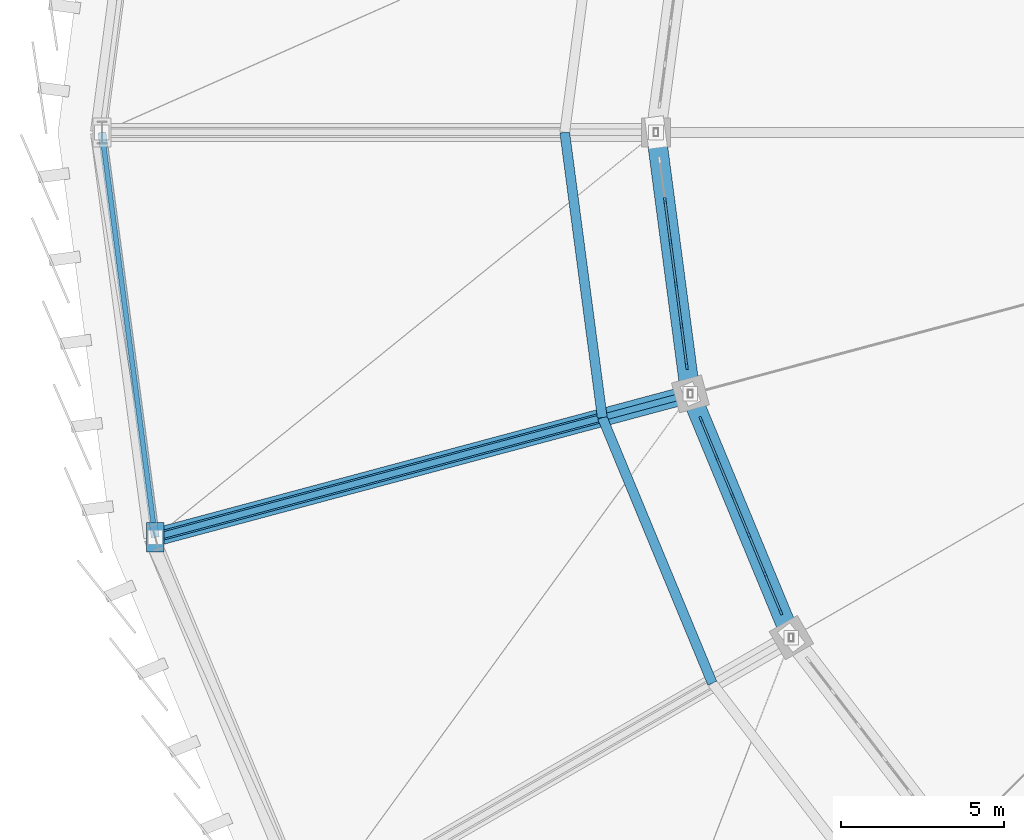
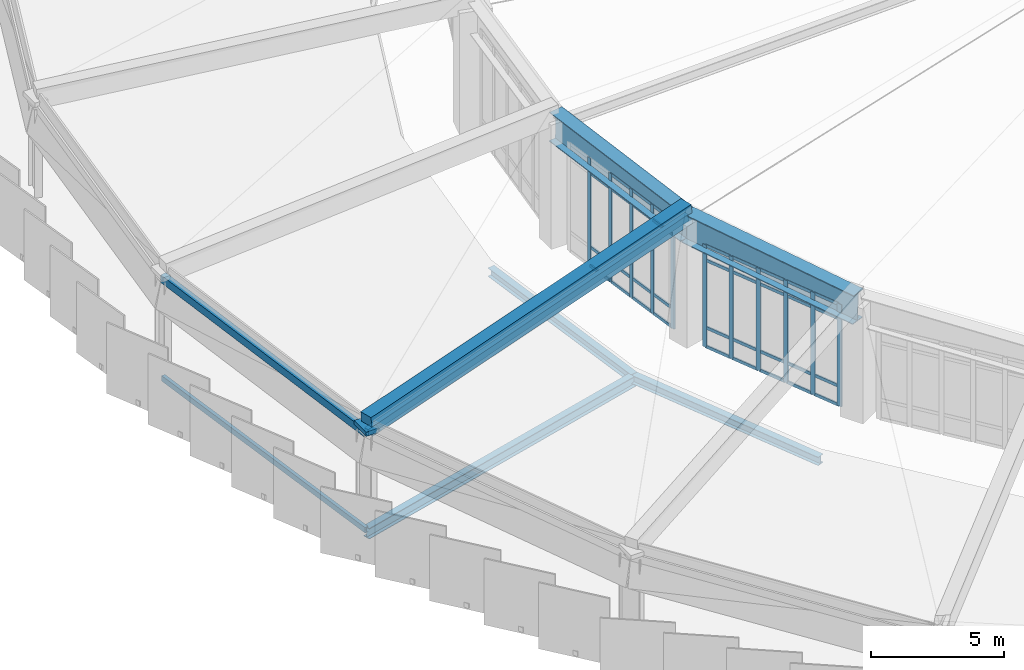
# One storey, part 13 of 68: 48 members, 8 beams, 2 elements without a shape of their own.
"""IFC4 building model written with IfcOpenShell, lengths in metres."""

import ifcopenshell
import ifcopenshell.guid

model = None  # the IFC model being written
_history = None  # IfcOwnerHistory: only IFC2X3 demands one
_inside = {}  # id of a spatial element -> (the spatial element, [elements in it])
_under = {}  # id of a project, library or spatial element -> (it, [spatial elements below it])
_declared = {}  # id of a project -> (the project, [libraries it declares])
_typed = {}  # id of a type object -> (the type object, [elements of that type])
_made_of = {}  # id of a material, layer set ... -> (it, [elements and type objects made of it])


def new_model(schema):
    """Start an empty IFC model of exactly this schema.

    Asked for "IFC4X3", IfcOpenShell would pick the latest addendum, in which some entities
    have other attributes; the version numbers below select the first issue.
    IFC2X3 requires an IfcOwnerHistory on every rooted entity: one is made here for all.
    """
    global model, _history
    if schema == "IFC4X3":
        model = ifcopenshell.file(schema_version=(4, 3, 0, 0))
    else:
        model = ifcopenshell.file(schema=schema)
    _inside.clear()
    _under.clear()
    _declared.clear()
    _typed.clear()
    _made_of.clear()
    _history = None
    if model.schema == "IFC2X3":
        org = make("IfcOrganization", Name="unknown")
        user = make(
            "IfcPersonAndOrganization",
            ThePerson=make("IfcPerson", FamilyName="unknown"),
            TheOrganization=org,
        )
        app = make(
            "IfcApplication",
            ApplicationDeveloper=org,
            Version="unknown",
            ApplicationFullName="unknown",
            ApplicationIdentifier="unknown",
        )
        _history = make(
            "IfcOwnerHistory",
            OwningUser=user,
            OwningApplication=app,
            ChangeAction="ADDED",
            CreationDate=0,
        )
    return model


def make(cls, **values):
    """One entity of the class cls with the attributes given. An attribute that is None is left unset."""
    return model.create_entity(
        cls, **{name: value for name, value in values.items() if value is not None}
    )


def rooted(cls, **values):
    """An entity with a GlobalId (a new one), such as an element, a storey or a relation."""
    return make(cls, GlobalId=ifcopenshell.guid.new(), OwnerHistory=_history, **values)


def si_unit(unit_type, name, prefix=None):
    """IfcSIUnit, for example si_unit("LENGTHUNIT", "METRE", prefix="MILLI")."""
    return make("IfcSIUnit", UnitType=unit_type, Prefix=prefix, Name=name)


def assignment(units):
    """IfcUnitAssignment: the units of a project."""
    return None if units is None else make("IfcUnitAssignment", Units=units)


def point(xyz):
    """IfcCartesianPoint."""
    return None if xyz is None else make("IfcCartesianPoint", Coordinates=xyz)


def direction(xyz):
    """IfcDirection."""
    return None if xyz is None else make("IfcDirection", DirectionRatios=xyz)


def frame(location, z_axis=None, x_axis=None):
    """IfcAxis2Placement3D, a coordinate frame: its origin and axes. An axis left out is left unset."""
    return make(
        "IfcAxis2Placement3D",
        Location=point(location),
        Axis=direction(z_axis),
        RefDirection=direction(x_axis),
    )


def frame_2d(location, x_axis=None):
    """IfcAxis2Placement2D, a coordinate frame in the plane: its origin and x axis."""
    return make(
        "IfcAxis2Placement2D", Location=point(location), RefDirection=direction(x_axis)
    )


def origin():
    """The frame at (0, 0, 0) with its axes left unset."""
    return frame((0.0, 0.0, 0.0))


def origin_2d():
    """The frame at (0, 0) in the plane with its x axis left unset."""
    return frame_2d((0.0, 0.0))


def place(relative_to, where):
    """IfcLocalPlacement: puts the frame where relative to a parent placement (None: the world)."""
    return make(
        "IfcLocalPlacement", PlacementRelTo=relative_to, RelativePlacement=where
    )


def context(
    kind, dimensions, precision=None, world=None, true_north=None, identifier=None
):
    """IfcGeometricRepresentationContext, for example the 3D "Model" context."""
    return make(
        "IfcGeometricRepresentationContext",
        ContextIdentifier=identifier,
        ContextType=kind,
        CoordinateSpaceDimension=dimensions,
        Precision=precision,
        WorldCoordinateSystem=world,
        TrueNorth=true_north,
    )


def subcontext(parent, identifier, kind, view, scale=None):
    """IfcGeometricRepresentationSubContext, for example "Body" below "Model"."""
    return make(
        "IfcGeometricRepresentationSubContext",
        ContextIdentifier=identifier,
        ContextType=kind,
        ParentContext=parent,
        TargetScale=scale,
        TargetView=view,
    )


def project(units=None, contexts=None):
    """IfcProject with its units and contexts."""
    return rooted(
        "IfcProject",
        Name="project",
        RepresentationContexts=contexts,
        UnitsInContext=assignment(units),
    )


def spatial(cls, under=None, at=None, **own):
    """A site, building, storey or space (cls), placed at a placement, below another one or the project."""
    s = rooted(cls, ObjectPlacement=at, **own)
    if under is not None:
        _under.setdefault(under.id(), (under, []))[1].append(s)
    return s


def profile(cls, at=None, kind="AREA", **sizes):
    """A parametric profile (cls). Its sizes go by their IFC names, for example OverallWidth=200.0."""
    return make(cls, ProfileType=kind, Position=at, **sizes)


def rectangle(**sizes):
    """IfcRectangleProfileDef."""
    return profile("IfcRectangleProfileDef", **sizes)


def hollow_rectangle(**sizes):
    """IfcRectangleHollowProfileDef."""
    return profile("IfcRectangleHollowProfileDef", **sizes)


def i_section(**sizes):
    """IfcIShapeProfileDef."""
    return profile("IfcIShapeProfileDef", **sizes)


def extrude(swept, where, along, depth):
    """IfcExtrudedAreaSolid: the profile swept, set in the frame where, extruded along a direction by depth."""
    return make(
        "IfcExtrudedAreaSolid",
        SweptArea=swept,
        Position=where,
        ExtrudedDirection=direction(along),
        Depth=depth,
    )


def shape(context_of_items, identifier, shape_type, items):
    """IfcShapeRepresentation: the items that make up one representation, for example the "Body"."""
    return make(
        "IfcShapeRepresentation",
        ContextOfItems=context_of_items,
        RepresentationIdentifier=identifier,
        RepresentationType=shape_type,
        Items=items,
    )


def material(Name=None, Category=None):
    """IfcMaterial."""
    return make("IfcMaterial", Name=Name, Category=Category)


def layer(
    of_material, thickness, ventilated=None, Name=None, Category=None, Priority=None
):
    """IfcMaterialLayer: one layer of a wall or slab, of a material (None: an air gap)."""
    return make(
        "IfcMaterialLayer",
        Material=of_material,
        LayerThickness=thickness,
        IsVentilated=ventilated,
        Name=Name,
        Category=Category,
        Priority=Priority,
    )


def layer_set(layers, Name=None):
    """IfcMaterialLayerSet."""
    return make("IfcMaterialLayerSet", MaterialLayers=layers, LayerSetName=Name)


def material_profile(
    of_material, cross_section, Name=None, Category=None, Priority=None
):
    """IfcMaterialProfile: a cross section and its material."""
    return make(
        "IfcMaterialProfile",
        Name=Name,
        Material=of_material,
        Profile=cross_section,
        Priority=Priority,
        Category=Category,
    )


def profile_set(profiles, Name=None, composite=None):
    """IfcMaterialProfileSet."""
    return make(
        "IfcMaterialProfileSet",
        Name=Name,
        MaterialProfiles=profiles,
        CompositeProfile=composite,
    )


def made_of(thing, what):
    """Note that an element or type object is made of a material, layer set ...; save() writes the relation."""
    if what is not None:
        _made_of.setdefault(what.id(), (what, []))[1].append(thing)
    return thing


def type_object(cls, material=None, **own):
    """A type object (cls), such as IfcWallType, which elements share."""
    return made_of(rooted(cls, **own), material)


def element(
    cls,
    number,
    at=None,
    inside=None,
    cuts=None,
    type_object=None,
    material=None,
    context=None,
    identifier="Body",
    shape_type=None,
    held_by="IfcProductDefinitionShape",
    body=None,
    shapes=None,
    **own,
):
    """One element of the class cls, such as IfcWall. Its Tag is "e" and its number.

    at: its placement. inside: the storey or other place that contains it. cuts: it is an
    opening in that element (IfcRelVoidsElement). A single representation is given by context,
    identifier, shape_type and body (its items); several are given by shapes. held_by: the class
    of the entity that holds the representations. save() writes the other relations.
    """
    e = rooted(cls, Tag="e%d" % number, ObjectPlacement=at, **own)
    if body is not None:
        shapes = [shape(context, identifier, shape_type, body)]
    if shapes is not None:
        e.Representation = make(held_by, Representations=shapes)
    if inside is not None:
        _inside.setdefault(inside.id(), (inside, []))[1].append(e)
    if cuts is not None:
        rooted(
            "IfcRelVoidsElement", RelatingBuildingElement=cuts, RelatedOpeningElement=e
        )
    if type_object is not None:
        _typed.setdefault(type_object.id(), (type_object, []))[1].append(e)
    return made_of(e, material)


def aggregate(whole, parts):
    """IfcRelAggregates: a whole, such as a stair, and the parts it consists of."""
    return rooted("IfcRelAggregates", RelatingObject=whole, RelatedObjects=parts)


def save(model, path):
    """Write the relations noted so far, then the file.

    IfcRelAggregates (storeys below a building ...), IfcRelContainedInSpatialStructure (elements
    in a storey), IfcRelDefinesByType, IfcRelAssociatesMaterial and IfcRelDeclares: one each for
    every whole, place, type object, material and project.
    """
    for whole, parts in _under.values():
        aggregate(whole, parts)
    for where, things in _inside.values():
        rooted(
            "IfcRelContainedInSpatialStructure",
            RelatedElements=things,
            RelatingStructure=where,
        )
    for kind, things in _typed.values():
        rooted("IfcRelDefinesByType", RelatedObjects=things, RelatingType=kind)
    for what, things in _made_of.values():
        rooted("IfcRelAssociatesMaterial", RelatedObjects=things, RelatingMaterial=what)
    for by, libraries in _declared.values():
        rooted("IfcRelDeclares", RelatingContext=by, RelatedDefinitions=libraries)
    model.write(path)


model = new_model("IFC4")

# Units and contexts
model_context = context("Model", 3, precision=1e-05, world=origin(), true_north=direction((0.0, 1.0)))
body_context = subcontext(model_context, "Body", "Model", "MODEL_VIEW")
ifc_project = project(units=[si_unit("LENGTHUNIT", "METRE"), si_unit("AREAUNIT", "SQUARE_METRE"), si_unit("VOLUMEUNIT", "CUBIC_METRE"), si_unit("PLANEANGLEUNIT", "RADIAN"), si_unit("MASSUNIT", "GRAM", prefix="KILO")], contexts=[model_context])

# Site, building, storey
site_placement = place(None, origin())
site = spatial("IfcSite", under=ifc_project, at=site_placement, CompositionType="ELEMENT")
building_placement = place(site_placement, origin())
building = spatial("IfcBuilding", under=site, at=building_placement, Name="Sohan Crest Arena", CompositionType="ELEMENT")
storey_placement = place(building_placement, frame((0.0, 0.0, 27.0)))
storey = spatial("IfcBuildingStorey", under=building, at=storey_placement, Name="RF", CompositionType="ELEMENT", Elevation=27.0)

# Curtain wall, members
ifc_material_1 = material(Name="Thermally broken anodised aluminium", Category="aluminium")
ifc_layer = layer(ifc_material_1, 0.18994140625, Name="Thermally broken anodised aluminium")
ifc_layer_set = layer_set([ifc_layer], Name="Thermally broken anodised aluminium")
curtain_wall_type = type_object("IfcCurtainWallType", Name="ARC-CW05", PredefinedType="NOTDEFINED", material=ifc_layer_set)
curtain_wall_1_placement = place(storey_placement, origin())
curtain_wall_1 = element("IfcCurtainWall", 1, at=curtain_wall_1_placement, inside=storey, type_object=curtain_wall_type, Name="Unitised curtain wall CW-177", PredefinedType="NOTDEFINED")
ifc_material_profile_1 = material_profile(ifc_material_1, rectangle(XDim=0.070068359375, YDim=0.199951171875, at=origin_2d()), Name="ALU-MULL 70x200")
ifc_profile_set_1 = profile_set([ifc_material_profile_1], Name="Thermally broken anodised aluminium")
member_type_1 = type_object("IfcMemberType", Name="ARC-CW-ML03", PredefinedType="MULLION", material=ifc_profile_set_1)
member_1_placement = place(storey_placement, frame((67.275390625, 75.90771484375, 0.0), z_axis=(0.0, 0.0, 1.0), x_axis=(0.991448491802, 0.130498613419, 0.0)))
member_1 = element("IfcMember", 2, at=member_1_placement, type_object=member_type_1, Name="CW-177 mullion 2", PredefinedType="MULLION", context=body_context, shape_type="SweptSolid", body=[
    extrude(rectangle(XDim=0.070068359375, YDim=0.199951171875, at=origin_2d()), origin(), (0.0, 0.0, 1.0), 4.97998046875),
])
member_2_placement = place(storey_placement, frame((67.44384765625, 74.628173828125, 0.0), z_axis=(0.0, 0.0, 1.0), x_axis=(0.991448491802, 0.130498613419, 0.0)))
member_2 = element("IfcMember", 3, at=member_2_placement, type_object=member_type_1, Name="CW-177 mullion 3", PredefinedType="MULLION", context=body_context, shape_type="SweptSolid", body=[
    extrude(rectangle(XDim=0.070068359375, YDim=0.199951171875, at=origin_2d()), origin(), (0.0, 0.0, 1.0), 4.97998046875),
])
member_3_placement = place(storey_placement, frame((67.6123046875, 73.348876953125, 0.0), z_axis=(0.0, 0.0, 1.0), x_axis=(0.991448491802, 0.130498613419, 0.0)))
member_3 = element("IfcMember", 4, at=member_3_placement, type_object=member_type_1, Name="CW-177 mullion 4", PredefinedType="MULLION", context=body_context, shape_type="SweptSolid", body=[
    extrude(rectangle(XDim=0.070068359375, YDim=0.199951171875, at=origin_2d()), origin(), (0.0, 0.0, 1.0), 4.97998046875),
])
member_4_placement = place(storey_placement, frame((67.780517578125, 72.0693359375, 0.0), z_axis=(0.0, 0.0, 1.0), x_axis=(0.991448491802, 0.130498613419, 0.0)))
member_4 = element("IfcMember", 5, at=member_4_placement, type_object=member_type_1, Name="CW-177 mullion 5", PredefinedType="MULLION", context=body_context, shape_type="SweptSolid", body=[
    extrude(rectangle(XDim=0.070068359375, YDim=0.199951171875, at=origin_2d()), origin(), (0.0, 0.0, 1.0), 4.97998046875),
])
member_5_placement = place(storey_placement, frame((67.9443359375, 70.82470703125, 0.0), z_axis=(0.0, 0.0, 1.0), x_axis=(0.991448491802, 0.130498613419, 0.0)))
member_5 = element("IfcMember", 6, at=member_5_placement, type_object=member_type_1, Name="CW-177 mullion 6", PredefinedType="MULLION", context=body_context, shape_type="SweptSolid", body=[
    extrude(rectangle(XDim=0.070068359375, YDim=0.199951171875, at=origin_2d()), origin(), (0.0, 0.0, 1.0), 4.97998046875),
])

curtain_wall_2_placement = place(storey_placement, origin())
curtain_wall_2 = element("IfcCurtainWall", 7, at=curtain_wall_2_placement, inside=storey, type_object=curtain_wall_type, Name="Unitised curtain wall CW-179", PredefinedType="NOTDEFINED")
member_6_placement = place(storey_placement, frame((68.38330078125, 69.186767578125, 0.0), z_axis=(0.0, 0.0, 1.0), x_axis=(0.923886494023, 0.382666625357, 0.0)))
member_6 = element("IfcMember", 8, at=member_6_placement, type_object=member_type_1, Name="CW-179 mullion 1", PredefinedType="MULLION", context=body_context, shape_type="SweptSolid", body=[
    extrude(rectangle(XDim=0.070068359375, YDim=0.199951171875, at=origin_2d()), origin(), (0.0, 0.0, 1.0), 4.68603515625),
])
member_7_placement = place(storey_placement, frame((68.86376953125, 68.02685546875, 0.0), z_axis=(0.0, 0.0, 1.0), x_axis=(0.923886494023, 0.382666625357, 0.0)))
member_7 = element("IfcMember", 9, at=member_7_placement, type_object=member_type_1, Name="CW-179 mullion 2", PredefinedType="MULLION", context=body_context, shape_type="SweptSolid", body=[
    extrude(rectangle(XDim=0.070068359375, YDim=0.199951171875, at=origin_2d()), origin(), (0.0, 0.0, 1.0), 4.68603515625),
])
member_8_placement = place(storey_placement, frame((69.357666015625, 66.834716796875, 0.0), z_axis=(0.0, 0.0, 1.0), x_axis=(0.923886494023, 0.382666625357, 0.0)))
member_8 = element("IfcMember", 10, at=member_8_placement, type_object=member_type_1, Name="CW-179 mullion 3", PredefinedType="MULLION", context=body_context, shape_type="SweptSolid", body=[
    extrude(rectangle(XDim=0.070068359375, YDim=0.199951171875, at=origin_2d()), origin(), (0.0, 0.0, 1.0), 4.68603515625),
])
member_9_placement = place(storey_placement, frame((69.851318359375, 65.642333984375, 0.0), z_axis=(0.0, 0.0, 1.0), x_axis=(0.923886494023, 0.382666625357, 0.0)))
member_9 = element("IfcMember", 11, at=member_9_placement, type_object=member_type_1, Name="CW-179 mullion 4", PredefinedType="MULLION", context=body_context, shape_type="SweptSolid", body=[
    extrude(rectangle(XDim=0.070068359375, YDim=0.199951171875, at=origin_2d()), origin(), (0.0, 0.0, 1.0), 4.68603515625),
])
member_10_placement = place(storey_placement, frame((70.34521484375, 64.4501953125, 0.0), z_axis=(0.0, 0.0, 1.0), x_axis=(0.923886494023, 0.382666625357, 0.0)))
member_10 = element("IfcMember", 12, at=member_10_placement, type_object=member_type_1, Name="CW-179 mullion 5", PredefinedType="MULLION", context=body_context, shape_type="SweptSolid", body=[
    extrude(rectangle(XDim=0.070068359375, YDim=0.199951171875, at=origin_2d()), origin(), (0.0, 0.0, 1.0), 4.68603515625),
])
member_11_placement = place(storey_placement, frame((70.82568359375, 63.290283203125, 0.0), z_axis=(0.0, 0.0, 1.0), x_axis=(0.923886494023, 0.382666625357, 0.0)))
member_11 = element("IfcMember", 13, at=member_11_placement, type_object=member_type_1, Name="CW-179 mullion 6", PredefinedType="MULLION", context=body_context, shape_type="SweptSolid", body=[
    extrude(rectangle(XDim=0.070068359375, YDim=0.199951171875, at=origin_2d()), origin(), (0.0, 0.0, 1.0), 4.68603515625),
])

# Member
ifc_material_profile_2 = material_profile(ifc_material_1, rectangle(XDim=0.06494140625, YDim=0.139892578125, at=origin_2d()), Name="ALU-TRAN 65x140")
ifc_profile_set_2 = profile_set([ifc_material_profile_2], Name="Thermally broken anodised aluminium")
member_type_2 = type_object("IfcMemberType", Name="ARC-CW-TR02", PredefinedType="USERDEFINED", material=ifc_profile_set_2)
member_12_placement = place(storey_placement, frame((67.280029296875, 75.872802734375, 0.032470703125), z_axis=(0.130433812827, -0.991457018973, 0.0), x_axis=(0.991457018973, 0.130433812827, 0.0)))
member_12 = element("IfcMember", 14, at=member_12_placement, type_object=member_type_2, Name="CW-177 transom 2.1", ObjectType="TRANSOM", PredefinedType="USERDEFINED", context=body_context, shape_type="SweptSolid", body=[
    extrude(rectangle(XDim=0.06494140625, YDim=0.139892578125, at=origin_2d()), origin(), (0.0, 0.0, 1.0), 1.220458984375),
])

member_13_placement = place(storey_placement, frame((67.280029296875, 75.872802734375, 0.89990234375), z_axis=(0.130433812827, -0.991457018973, 0.0), x_axis=(0.991457018973, 0.130433812827, 0.0)))
member_13 = element("IfcMember", 15, at=member_13_placement, type_object=member_type_2, Name="CW-177 transom 2.2", ObjectType="TRANSOM", PredefinedType="USERDEFINED", context=body_context, shape_type="SweptSolid", body=[
    extrude(rectangle(XDim=0.06494140625, YDim=0.139892578125, at=origin_2d()), origin(), (0.0, 0.0, 1.0), 1.220458984375),
])

member_14_placement = place(storey_placement, frame((67.280029296875, 75.872802734375, 4.280029296875), z_axis=(0.130433812827, -0.991457018973, 0.0), x_axis=(0.991457018973, 0.130433812827, 0.0)))
member_14 = element("IfcMember", 16, at=member_14_placement, type_object=member_type_2, Name="CW-177 transom 2.3", ObjectType="TRANSOM", PredefinedType="USERDEFINED", context=body_context, shape_type="SweptSolid", body=[
    extrude(rectangle(XDim=0.06494140625, YDim=0.139892578125, at=origin_2d()), origin(), (0.0, 0.0, 1.0), 1.220458984375),
])

member_15_placement = place(storey_placement, frame((67.448486328125, 74.593505859375, 0.032470703125), z_axis=(0.130433812827, -0.991457018973, 0.0), x_axis=(0.991457018973, 0.130433812827, 0.0)))
member_15 = element("IfcMember", 17, at=member_15_placement, type_object=member_type_2, Name="CW-177 transom 3.1", ObjectType="TRANSOM", PredefinedType="USERDEFINED", context=body_context, shape_type="SweptSolid", body=[
    extrude(rectangle(XDim=0.06494140625, YDim=0.139892578125, at=origin_2d()), origin(), (0.0, 0.0, 1.0), 1.220458984375),
])

member_16_placement = place(storey_placement, frame((67.448486328125, 74.593505859375, 0.89990234375), z_axis=(0.130433812827, -0.991457018973, 0.0), x_axis=(0.991457018973, 0.130433812827, 0.0)))
member_16 = element("IfcMember", 18, at=member_16_placement, type_object=member_type_2, Name="CW-177 transom 3.2", ObjectType="TRANSOM", PredefinedType="USERDEFINED", context=body_context, shape_type="SweptSolid", body=[
    extrude(rectangle(XDim=0.06494140625, YDim=0.139892578125, at=origin_2d()), origin(), (0.0, 0.0, 1.0), 1.220458984375),
])

member_17_placement = place(storey_placement, frame((67.448486328125, 74.593505859375, 4.280029296875), z_axis=(0.130433812827, -0.991457018973, 0.0), x_axis=(0.991457018973, 0.130433812827, 0.0)))
member_17 = element("IfcMember", 19, at=member_17_placement, type_object=member_type_2, Name="CW-177 transom 3.3", ObjectType="TRANSOM", PredefinedType="USERDEFINED", context=body_context, shape_type="SweptSolid", body=[
    extrude(rectangle(XDim=0.06494140625, YDim=0.139892578125, at=origin_2d()), origin(), (0.0, 0.0, 1.0), 1.220458984375),
])

member_18_placement = place(storey_placement, frame((67.448486328125, 74.593505859375, 4.947509765625), z_axis=(0.130433812827, -0.991457018973, 0.0), x_axis=(0.991457018973, 0.130433812827, 0.0)))
member_18 = element("IfcMember", 20, at=member_18_placement, type_object=member_type_2, Name="CW-177 transom 3.4", ObjectType="TRANSOM", PredefinedType="USERDEFINED", context=body_context, shape_type="SweptSolid", body=[
    extrude(rectangle(XDim=0.06494140625, YDim=0.139892578125, at=origin_2d()), origin(), (0.0, 0.0, 1.0), 1.220458984375),
])

member_19_placement = place(storey_placement, frame((67.61669921875, 73.314208984375, 0.032470703125), z_axis=(0.130604550342, -0.991434542181, 0.0), x_axis=(0.991434542181, 0.130604550342, 0.0)))
member_19 = element("IfcMember", 21, at=member_19_placement, type_object=member_type_2, Name="CW-177 transom 4.1", ObjectType="TRANSOM", PredefinedType="USERDEFINED", context=body_context, shape_type="SweptSolid", body=[
    extrude(rectangle(XDim=0.06494140625, YDim=0.139892578125, at=origin_2d()), origin(), (0.0, 0.0, 1.0), 1.220703125),
])

member_20_placement = place(storey_placement, frame((67.61669921875, 73.314208984375, 0.89990234375), z_axis=(0.130604550342, -0.991434542181, 0.0), x_axis=(0.991434542181, 0.130604550342, 0.0)))
member_20 = element("IfcMember", 22, at=member_20_placement, type_object=member_type_2, Name="CW-177 transom 4.2", ObjectType="TRANSOM", PredefinedType="USERDEFINED", context=body_context, shape_type="SweptSolid", body=[
    extrude(rectangle(XDim=0.06494140625, YDim=0.139892578125, at=origin_2d()), origin(), (0.0, 0.0, 1.0), 1.220703125),
])

member_21_placement = place(storey_placement, frame((67.61669921875, 73.314208984375, 4.280029296875), z_axis=(0.130604550342, -0.991434542181, 0.0), x_axis=(0.991434542181, 0.130604550342, 0.0)))
member_21 = element("IfcMember", 23, at=member_21_placement, type_object=member_type_2, Name="CW-177 transom 4.3", ObjectType="TRANSOM", PredefinedType="USERDEFINED", context=body_context, shape_type="SweptSolid", body=[
    extrude(rectangle(XDim=0.06494140625, YDim=0.139892578125, at=origin_2d()), origin(), (0.0, 0.0, 1.0), 1.220703125),
])

member_22_placement = place(storey_placement, frame((67.61669921875, 73.314208984375, 4.947509765625), z_axis=(0.130604550342, -0.991434542181, 0.0), x_axis=(0.991434542181, 0.130604550342, 0.0)))
member_22 = element("IfcMember", 24, at=member_22_placement, type_object=member_type_2, Name="CW-177 transom 4.4", ObjectType="TRANSOM", PredefinedType="USERDEFINED", context=body_context, shape_type="SweptSolid", body=[
    extrude(rectangle(XDim=0.06494140625, YDim=0.139892578125, at=origin_2d()), origin(), (0.0, 0.0, 1.0), 1.220703125),
])

member_23_placement = place(storey_placement, frame((67.78515625, 72.03466796875, 0.032470703125), z_axis=(0.130571716173, -0.991438866968, 0.0), x_axis=(0.991438866968, 0.130571716173, 0.0)))
member_23 = element("IfcMember", 25, at=member_23_placement, type_object=member_type_2, Name="CW-177 transom 5.1", ObjectType="TRANSOM", PredefinedType="USERDEFINED", context=body_context, shape_type="SweptSolid", body=[
    extrude(rectangle(XDim=0.06494140625, YDim=0.139892578125, at=origin_2d()), origin(), (0.0, 0.0, 1.0), 1.185546875),
])

member_24_placement = place(storey_placement, frame((67.78515625, 72.03466796875, 0.89990234375), z_axis=(0.130571716173, -0.991438866968, 0.0), x_axis=(0.991438866968, 0.130571716173, 0.0)))
member_24 = element("IfcMember", 26, at=member_24_placement, type_object=member_type_2, Name="CW-177 transom 5.2", ObjectType="TRANSOM", PredefinedType="USERDEFINED", context=body_context, shape_type="SweptSolid", body=[
    extrude(rectangle(XDim=0.06494140625, YDim=0.139892578125, at=origin_2d()), origin(), (0.0, 0.0, 1.0), 1.185546875),
])

member_25_placement = place(storey_placement, frame((67.78515625, 72.03466796875, 4.280029296875), z_axis=(0.130571716173, -0.991438866968, 0.0), x_axis=(0.991438866968, 0.130571716173, 0.0)))
member_25 = element("IfcMember", 27, at=member_25_placement, type_object=member_type_2, Name="CW-177 transom 5.3", ObjectType="TRANSOM", PredefinedType="USERDEFINED", context=body_context, shape_type="SweptSolid", body=[
    extrude(rectangle(XDim=0.06494140625, YDim=0.139892578125, at=origin_2d()), origin(), (0.0, 0.0, 1.0), 1.185546875),
])

member_26_placement = place(storey_placement, frame((67.78515625, 72.03466796875, 4.947509765625), z_axis=(0.130571716173, -0.991438866968, 0.0), x_axis=(0.991438866968, 0.130571716173, 0.0)))
member_26 = element("IfcMember", 28, at=member_26_placement, type_object=member_type_2, Name="CW-177 transom 5.4", ObjectType="TRANSOM", PredefinedType="USERDEFINED", context=body_context, shape_type="SweptSolid", body=[
    extrude(rectangle(XDim=0.06494140625, YDim=0.139892578125, at=origin_2d()), origin(), (0.0, 0.0, 1.0), 1.185546875),
])

aggregate(curtain_wall_1, [member_1, member_2, member_3, member_4, member_5, member_12, member_13, member_14, member_15, member_16, member_17, member_18, member_19, member_20, member_21, member_22, member_23, member_24, member_25, member_26])

member_27_placement = place(storey_placement, frame((68.396728515625, 69.154296875, 0.032470703125), z_axis=(0.382654947151, -0.923891330959, 0.0), x_axis=(0.923891330959, 0.382654947151, 0.0)))
member_27 = element("IfcMember", 29, at=member_27_placement, type_object=member_type_2, Name="CW-179 transom 1.1", ObjectType="TRANSOM", PredefinedType="USERDEFINED", context=body_context, shape_type="SweptSolid", body=[
    extrude(rectangle(XDim=0.06494140625, YDim=0.139892578125, at=origin_2d()), origin(), (0.0, 0.0, 1.0), 1.185546875),
])

member_28_placement = place(storey_placement, frame((68.396728515625, 69.154296875, 0.89990234375), z_axis=(0.382654947151, -0.923891330959, 0.0), x_axis=(0.923891330959, 0.382654947151, 0.0)))
member_28 = element("IfcMember", 30, at=member_28_placement, type_object=member_type_2, Name="CW-179 transom 1.2", ObjectType="TRANSOM", PredefinedType="USERDEFINED", context=body_context, shape_type="SweptSolid", body=[
    extrude(rectangle(XDim=0.06494140625, YDim=0.139892578125, at=origin_2d()), origin(), (0.0, 0.0, 1.0), 1.185546875),
])

member_29_placement = place(storey_placement, frame((68.396728515625, 69.154296875, 3.986083984375), z_axis=(0.382654947151, -0.923891330959, 0.0), x_axis=(0.923891330959, 0.382654947151, 0.0)))
member_29 = element("IfcMember", 31, at=member_29_placement, type_object=member_type_2, Name="CW-179 transom 1.3", ObjectType="TRANSOM", PredefinedType="USERDEFINED", context=body_context, shape_type="SweptSolid", body=[
    extrude(rectangle(XDim=0.06494140625, YDim=0.139892578125, at=origin_2d()), origin(), (0.0, 0.0, 1.0), 1.185546875),
])

member_30_placement = place(storey_placement, frame((68.396728515625, 69.154296875, 4.653564453125), z_axis=(0.382654947151, -0.923891330959, 0.0), x_axis=(0.923891330959, 0.382654947151, 0.0)))
member_30 = element("IfcMember", 32, at=member_30_placement, type_object=member_type_2, Name="CW-179 transom 1.4", ObjectType="TRANSOM", PredefinedType="USERDEFINED", context=body_context, shape_type="SweptSolid", body=[
    extrude(rectangle(XDim=0.06494140625, YDim=0.139892578125, at=origin_2d()), origin(), (0.0, 0.0, 1.0), 1.185546875),
])

member_31_placement = place(storey_placement, frame((68.877197265625, 67.994384765625, 0.032470703125), z_axis=(0.382711055899, -0.923868089985, 0.0), x_axis=(0.923868089985, 0.382711055899, 0.0)))
member_31 = element("IfcMember", 33, at=member_31_placement, type_object=member_type_2, Name="CW-179 transom 2.1", ObjectType="TRANSOM", PredefinedType="USERDEFINED", context=body_context, shape_type="SweptSolid", body=[
    extrude(rectangle(XDim=0.06494140625, YDim=0.139892578125, at=origin_2d()), origin(), (0.0, 0.0, 1.0), 1.220458984375),
])

member_32_placement = place(storey_placement, frame((68.877197265625, 67.994384765625, 0.89990234375), z_axis=(0.382711055899, -0.923868089985, 0.0), x_axis=(0.923868089985, 0.382711055899, 0.0)))
member_32 = element("IfcMember", 34, at=member_32_placement, type_object=member_type_2, Name="CW-179 transom 2.2", ObjectType="TRANSOM", PredefinedType="USERDEFINED", context=body_context, shape_type="SweptSolid", body=[
    extrude(rectangle(XDim=0.06494140625, YDim=0.139892578125, at=origin_2d()), origin(), (0.0, 0.0, 1.0), 1.220458984375),
])

member_33_placement = place(storey_placement, frame((68.877197265625, 67.994384765625, 3.986083984375), z_axis=(0.382711055899, -0.923868089985, 0.0), x_axis=(0.923868089985, 0.382711055899, 0.0)))
member_33 = element("IfcMember", 35, at=member_33_placement, type_object=member_type_2, Name="CW-179 transom 2.3", ObjectType="TRANSOM", PredefinedType="USERDEFINED", context=body_context, shape_type="SweptSolid", body=[
    extrude(rectangle(XDim=0.06494140625, YDim=0.139892578125, at=origin_2d()), origin(), (0.0, 0.0, 1.0), 1.220458984375),
])

member_34_placement = place(storey_placement, frame((68.877197265625, 67.994384765625, 4.653564453125), z_axis=(0.382711055899, -0.923868089985, 0.0), x_axis=(0.923868089985, 0.382711055899, 0.0)))
member_34 = element("IfcMember", 36, at=member_34_placement, type_object=member_type_2, Name="CW-179 transom 2.4", ObjectType="TRANSOM", PredefinedType="USERDEFINED", context=body_context, shape_type="SweptSolid", body=[
    extrude(rectangle(XDim=0.06494140625, YDim=0.139892578125, at=origin_2d()), origin(), (0.0, 0.0, 1.0), 1.220458984375),
])

member_35_placement = place(storey_placement, frame((69.37109375, 66.80224609375, 0.032470703125), z_axis=(0.382540280289, -0.92393881505, 0.0), x_axis=(0.92393881505, 0.382540280289, 0.0)))
member_35 = element("IfcMember", 37, at=member_35_placement, type_object=member_type_2, Name="CW-179 transom 3.1", ObjectType="TRANSOM", PredefinedType="USERDEFINED", context=body_context, shape_type="SweptSolid", body=[
    extrude(rectangle(XDim=0.06494140625, YDim=0.139892578125, at=origin_2d()), origin(), (0.0, 0.0, 1.0), 1.22021484375),
])

member_36_placement = place(storey_placement, frame((69.37109375, 66.80224609375, 0.89990234375), z_axis=(0.382540280289, -0.92393881505, 0.0), x_axis=(0.92393881505, 0.382540280289, 0.0)))
member_36 = element("IfcMember", 38, at=member_36_placement, type_object=member_type_2, Name="CW-179 transom 3.2", ObjectType="TRANSOM", PredefinedType="USERDEFINED", context=body_context, shape_type="SweptSolid", body=[
    extrude(rectangle(XDim=0.06494140625, YDim=0.139892578125, at=origin_2d()), origin(), (0.0, 0.0, 1.0), 1.22021484375),
])

member_37_placement = place(storey_placement, frame((69.37109375, 66.80224609375, 3.986083984375), z_axis=(0.382540280289, -0.92393881505, 0.0), x_axis=(0.92393881505, 0.382540280289, 0.0)))
member_37 = element("IfcMember", 39, at=member_37_placement, type_object=member_type_2, Name="CW-179 transom 3.3", ObjectType="TRANSOM", PredefinedType="USERDEFINED", context=body_context, shape_type="SweptSolid", body=[
    extrude(rectangle(XDim=0.06494140625, YDim=0.139892578125, at=origin_2d()), origin(), (0.0, 0.0, 1.0), 1.22021484375),
])

member_38_placement = place(storey_placement, frame((69.37109375, 66.80224609375, 4.653564453125), z_axis=(0.382540280289, -0.92393881505, 0.0), x_axis=(0.92393881505, 0.382540280289, 0.0)))
member_38 = element("IfcMember", 40, at=member_38_placement, type_object=member_type_2, Name="CW-179 transom 3.4", ObjectType="TRANSOM", PredefinedType="USERDEFINED", context=body_context, shape_type="SweptSolid", body=[
    extrude(rectangle(XDim=0.06494140625, YDim=0.139892578125, at=origin_2d()), origin(), (0.0, 0.0, 1.0), 1.22021484375),
])

member_39_placement = place(storey_placement, frame((69.86474609375, 65.610107421875, 0.032470703125), z_axis=(0.382640332417, -0.923897383917, 0.0), x_axis=(0.923897383917, 0.382640332417, 0.0)))
member_39 = element("IfcMember", 41, at=member_39_placement, type_object=member_type_2, Name="CW-179 transom 4.1", ObjectType="TRANSOM", PredefinedType="USERDEFINED", context=body_context, shape_type="SweptSolid", body=[
    extrude(rectangle(XDim=0.06494140625, YDim=0.139892578125, at=origin_2d()), origin(), (0.0, 0.0, 1.0), 1.220458984375),
])

member_40_placement = place(storey_placement, frame((69.86474609375, 65.610107421875, 0.89990234375), z_axis=(0.382640332417, -0.923897383917, 0.0), x_axis=(0.923897383917, 0.382640332417, 0.0)))
member_40 = element("IfcMember", 42, at=member_40_placement, type_object=member_type_2, Name="CW-179 transom 4.2", ObjectType="TRANSOM", PredefinedType="USERDEFINED", context=body_context, shape_type="SweptSolid", body=[
    extrude(rectangle(XDim=0.06494140625, YDim=0.139892578125, at=origin_2d()), origin(), (0.0, 0.0, 1.0), 1.220458984375),
])

member_41_placement = place(storey_placement, frame((69.86474609375, 65.610107421875, 3.986083984375), z_axis=(0.382640332417, -0.923897383917, 0.0), x_axis=(0.923897383917, 0.382640332417, 0.0)))
member_41 = element("IfcMember", 43, at=member_41_placement, type_object=member_type_2, Name="CW-179 transom 4.3", ObjectType="TRANSOM", PredefinedType="USERDEFINED", context=body_context, shape_type="SweptSolid", body=[
    extrude(rectangle(XDim=0.06494140625, YDim=0.139892578125, at=origin_2d()), origin(), (0.0, 0.0, 1.0), 1.220458984375),
])

member_42_placement = place(storey_placement, frame((69.86474609375, 65.610107421875, 4.653564453125), z_axis=(0.382640332417, -0.923897383917, 0.0), x_axis=(0.923897383917, 0.382640332417, 0.0)))
member_42 = element("IfcMember", 44, at=member_42_placement, type_object=member_type_2, Name="CW-179 transom 4.4", ObjectType="TRANSOM", PredefinedType="USERDEFINED", context=body_context, shape_type="SweptSolid", body=[
    extrude(rectangle(XDim=0.06494140625, YDim=0.139892578125, at=origin_2d()), origin(), (0.0, 0.0, 1.0), 1.220458984375),
])

member_43_placement = place(storey_placement, frame((70.358642578125, 64.41796875, 0.032470703125), z_axis=(0.382654947151, -0.923891330959, 0.0), x_axis=(0.923891330959, 0.382654947151, 0.0)))
member_43 = element("IfcMember", 45, at=member_43_placement, type_object=member_type_2, Name="CW-179 transom 5.1", ObjectType="TRANSOM", PredefinedType="USERDEFINED", context=body_context, shape_type="SweptSolid", body=[
    extrude(rectangle(XDim=0.06494140625, YDim=0.139892578125, at=origin_2d()), origin(), (0.0, 0.0, 1.0), 1.185546875),
])

member_44_placement = place(storey_placement, frame((70.358642578125, 64.41796875, 0.89990234375), z_axis=(0.382654947151, -0.923891330959, 0.0), x_axis=(0.923891330959, 0.382654947151, 0.0)))
member_44 = element("IfcMember", 46, at=member_44_placement, type_object=member_type_2, Name="CW-179 transom 5.2", ObjectType="TRANSOM", PredefinedType="USERDEFINED", context=body_context, shape_type="SweptSolid", body=[
    extrude(rectangle(XDim=0.06494140625, YDim=0.139892578125, at=origin_2d()), origin(), (0.0, 0.0, 1.0), 1.185546875),
])

member_45_placement = place(storey_placement, frame((70.358642578125, 64.41796875, 3.986083984375), z_axis=(0.382654947151, -0.923891330959, 0.0), x_axis=(0.923891330959, 0.382654947151, 0.0)))
member_45 = element("IfcMember", 47, at=member_45_placement, type_object=member_type_2, Name="CW-179 transom 5.3", ObjectType="TRANSOM", PredefinedType="USERDEFINED", context=body_context, shape_type="SweptSolid", body=[
    extrude(rectangle(XDim=0.06494140625, YDim=0.139892578125, at=origin_2d()), origin(), (0.0, 0.0, 1.0), 1.185546875),
])

member_46_placement = place(storey_placement, frame((70.358642578125, 64.41796875, 4.653564453125), z_axis=(0.382654947151, -0.923891330959, 0.0), x_axis=(0.923891330959, 0.382654947151, 0.0)))
member_46 = element("IfcMember", 48, at=member_46_placement, type_object=member_type_2, Name="CW-179 transom 5.4", ObjectType="TRANSOM", PredefinedType="USERDEFINED", context=body_context, shape_type="SweptSolid", body=[
    extrude(rectangle(XDim=0.06494140625, YDim=0.139892578125, at=origin_2d()), origin(), (0.0, 0.0, 1.0), 1.185546875),
])

aggregate(curtain_wall_2, [member_6, member_7, member_8, member_9, member_10, member_11, member_27, member_28, member_29, member_30, member_31, member_32, member_33, member_34, member_35, member_36, member_37, member_38, member_39, member_40, member_41, member_42, member_43, member_44, member_45, member_46])

# Beams
ifc_material_2 = material(Name="Steel S355", Category="steel")
ifc_material_profile_3 = material_profile(ifc_material_2, i_section(OverallWidth=0.300048828125, OverallDepth=0.389892578125, WebThickness=0.010986328125, FlangeThickness=0.01904296875, at=origin_2d()), Name="HEA 400")
ifc_profile_set_3 = profile_set([ifc_material_profile_3], Name="Steel S355")
beam_type_1 = type_object("IfcBeamType", Name="STR-BM-B09", PredefinedType="BEAM", material=ifc_profile_set_3)
beam_1_placement = place(storey_placement, frame((64.199951171875, 78.0, -0.4150390625), z_axis=(0.130570461953, -0.991439032147, 0.0), x_axis=(0.991439032147, 0.130570461953, 0.0)))
element("IfcBeam", 49, at=beam_1_placement, inside=storey, type_object=beam_type_1, Name="Structural beam RG-RF-1885", PredefinedType="BEAM", context=body_context, shape_type="SweptSolid", body=[
    extrude(i_section(OverallWidth=0.300048828125, OverallDepth=0.389892578125, WebThickness=0.010986328125, FlangeThickness=0.01904296875, at=origin_2d()), origin(), (0.0, 0.0, 1.0), 8.823486328125),
])
beam_2_placement = place(storey_placement, frame((65.35205078125, 69.251953125, -0.4150390625), z_axis=(0.38262224111, -0.923904876385, 0.0), x_axis=(0.923904876385, 0.38262224111, 0.0)))
element("IfcBeam", 50, at=beam_2_placement, inside=storey, type_object=beam_type_1, Name="Structural beam RG-RF-1888", PredefinedType="BEAM", context=body_context, shape_type="SweptSolid", body=[
    extrude(i_section(OverallWidth=0.300048828125, OverallDepth=0.389892578125, WebThickness=0.010986328125, FlangeThickness=0.01904296875, at=origin_2d()), origin(), (0.0, 0.0, 1.0), 8.8232421875),
])
ifc_material_profile_4 = material_profile(ifc_material_2, i_section(OverallWidth=0.300048828125, OverallDepth=0.489990234375, WebThickness=0.011962890625, FlangeThickness=0.02294921875, at=origin_2d()), Name="HEA 500")
ifc_profile_set_4 = profile_set([ifc_material_profile_4], Name="Steel S355")
beam_type_2 = type_object("IfcBeamType", Name="STR-BM-B10", PredefinedType="BEAM", material=ifc_profile_set_4)
beam_3_placement = place(storey_placement, frame((65.35205078125, 69.251953125, -0.465087890625), z_axis=(-0.965928635508, -0.258808560729, 0.0), x_axis=(0.258808560729, -0.965928635508, 0.0)))
element("IfcBeam", 51, at=beam_3_placement, inside=storey, type_object=beam_type_2, Name="Structural beam RG-RF-1886", PredefinedType="BEAM", context=body_context, shape_type="SweptSolid", body=[
    extrude(i_section(OverallWidth=0.300048828125, OverallDepth=0.489990234375, WebThickness=0.011962890625, FlangeThickness=0.02294921875, at=origin_2d()), origin(), (0.0, 0.0, 1.0), 14.199951171875),
])
ifc_material_profile_5 = material_profile(ifc_material_2, i_section(OverallWidth=0.60009765625, OverallDepth=1.35009765625, WebThickness=0.02392578125, FlangeThickness=0.035888671875, at=origin_2d()), Name="PG 1350x600x24x36")
ifc_profile_set_5 = profile_set([ifc_material_profile_5], Name="Steel S355")
beam_type_3 = type_object("IfcBeamType", Name="STR-BM-RB02", PredefinedType="USERDEFINED", material=ifc_profile_set_5)
beam_4_placement = place(storey_placement, frame((67.0, 78.0, 5.326904296875), z_axis=(0.130474129635, -0.991362045796, -0.013334003537), x_axis=(0.99145018748, 0.130485730048, 0.0)))
element("IfcBeam", 52, at=beam_4_placement, inside=storey, type_object=beam_type_3, Name="Rising compression ring beam segment RB-07", ObjectType="RING BEAM", PredefinedType="USERDEFINED", context=body_context, shape_type="SweptSolid", body=[
    extrude(i_section(OverallWidth=0.60009765625, OverallDepth=1.35009765625, WebThickness=0.02392578125, FlangeThickness=0.035888671875, at=origin_2d()), origin(), (0.0, 0.0, 1.0), 8.0927734375),
])
beam_5_placement = place(storey_placement, frame((68.055908203125, 69.97705078125, 5.218994140625), z_axis=(0.382401603878, -0.92317763837, -0.038885233249), x_axis=(0.923876381497, 0.382691039498, 0.0)))
element("IfcBeam", 53, at=beam_5_placement, inside=storey, type_object=beam_type_3, Name="Rising compression ring beam segment RB-08", ObjectType="RING BEAM", PredefinedType="USERDEFINED", context=body_context, shape_type="SweptSolid", body=[
    extrude(i_section(OverallWidth=0.60009765625, OverallDepth=1.35009765625, WebThickness=0.02392578125, FlangeThickness=0.035888671875, at=origin_2d()), origin(), (0.0, 0.0, 1.0), 8.099365234375),
])
ifc_material_3 = material(Name="Precast concrete C50/60", Category="concrete")
ifc_material_profile_6 = material_profile(ifc_material_3, rectangle(XDim=0.550048828125, YDim=0.89990234375, at=origin_2d()), Name="RAKER 550x900")
ifc_profile_set_6 = profile_set([ifc_material_profile_6], Name="Precast concrete C50/60")
beam_type_4 = type_object("IfcBeamType", Name="STR-BM-RK01", PredefinedType="USERDEFINED", material=ifc_profile_set_6)
beam_6_placement = place(storey_placement, frame((68.055908203125, 69.97705078125, 5.839111328125), z_axis=(-0.962887309875, -0.258030777713, -0.079171625187), x_axis=(0.258843286733, -0.965919330438, 0.0)))
element("IfcBeam", 54, at=beam_6_placement, inside=storey, type_object=beam_type_4, Name="Perimeter radial apron raker RKB-08", ObjectType="RAKER", PredefinedType="USERDEFINED", context=body_context, shape_type="SweptSolid", body=[
    extrude(rectangle(XDim=0.550048828125, YDim=0.89990234375, at=origin_2d()), origin(), (0.0, 0.0, 1.0), 17.052734375),
])
beam_7_placement = place(storey_placement, frame((51.635986328125, 65.576904296875, 4.489013671875), z_axis=(0.0, 0.0, -1.0), x_axis=(1.0, 0.0, 0.0)))
element("IfcBeam", 55, at=beam_7_placement, inside=storey, type_object=beam_type_4, Name="Perimeter cantilever nose bracket RKC-08", ObjectType="RAKER", PredefinedType="USERDEFINED", context=body_context, shape_type="SweptSolid", body=[
    extrude(rectangle(XDim=0.550048828125, YDim=0.89990234375, at=origin_2d()), origin(), (0.0, 0.0, 1.0), 0.199951171875),
])
ifc_material_profile_7 = material_profile(ifc_material_2, hollow_rectangle(XDim=0.14990234375, YDim=0.25, WallThickness=0.010009765625, at=origin_2d()), Name="RHS 250x150x10")
ifc_profile_set_7 = profile_set([ifc_material_profile_7], Name="Steel S355")
beam_type_5 = type_object("IfcBeamType", Name="STR-BM-SP02", PredefinedType="SPANDREL", material=ifc_profile_set_7)
beam_8_placement = place(storey_placement, frame((50.0, 78.0, -0.344970703125), z_axis=(0.130561865783, -0.991440164207, 0.0), x_axis=(0.991440164207, 0.130561865783, 0.0)))
element("IfcBeam", 56, at=beam_8_placement, inside=storey, type_object=beam_type_5, Name="Structural beam SP-RF-1884", PredefinedType="SPANDREL", context=body_context, shape_type="SweptSolid", body=[
    extrude(hollow_rectangle(XDim=0.14990234375, YDim=0.25, WallThickness=0.010009765625, at=origin_2d()), origin(), (0.0, 0.0, 1.0), 12.5302734375),
])

# Members
ifc_material_profile_8 = material_profile(ifc_material_2, hollow_rectangle(XDim=0.199951171875, YDim=0.300048828125, WallThickness=0.010009765625, at=origin_2d()), Name="RHS 300x200x10")
ifc_profile_set_8 = profile_set([ifc_material_profile_8], Name="Steel S355")
member_type_3 = type_object("IfcMemberType", Name="STR-MEM-CH03", PredefinedType="CHORD", material=ifc_profile_set_8)
member_47_placement = place(storey_placement, frame((68.055908203125, 69.97705078125, 5.589111328125), z_axis=(-0.96242357712, -0.257906508422, -0.085000535983), x_axis=(0.258843286733, -0.965919330438, 0.0)))
element("IfcMember", 57, at=member_47_placement, inside=storey, type_object=member_type_3, Name="Outer roof-edge radial tie chord ORT-08", PredefinedType="CHORD", context=body_context, shape_type="SweptSolid", body=[
    extrude(hollow_rectangle(XDim=0.199951171875, YDim=0.300048828125, WallThickness=0.010009765625, at=origin_2d()), origin(), (0.0, 0.0, 1.0), 17.06103515625),
])
ifc_material_profile_9 = material_profile(ifc_material_2, hollow_rectangle(XDim=0.25, YDim=0.35009765625, WallThickness=0.012451171875, at=origin_2d()), Name="RHS 350x250x12.5")
ifc_profile_set_9 = profile_set([ifc_material_profile_9], Name="Steel S355")
member_type_4 = type_object("IfcMemberType", Name="STR-MEM-CH04", PredefinedType="CHORD", material=ifc_profile_set_9)
member_48_placement = place(storey_placement, frame((50.0, 78.0, 4.2470703125), z_axis=(0.130557002573, -0.99140323473, -0.008631062847), x_axis=(0.991440164207, 0.130561865783, 0.0)))
element("IfcMember", 58, at=member_48_placement, inside=storey, type_object=member_type_4, Name="Outer roof-edge truss chord ORB-07", PredefinedType="CHORD", context=body_context, shape_type="SweptSolid", body=[
    extrude(hollow_rectangle(XDim=0.25, YDim=0.35009765625, WallThickness=0.012451171875, at=origin_2d()), origin(), (0.0, 0.0, 1.0), 12.53076171875),
])

save(model, "model.ifc")
